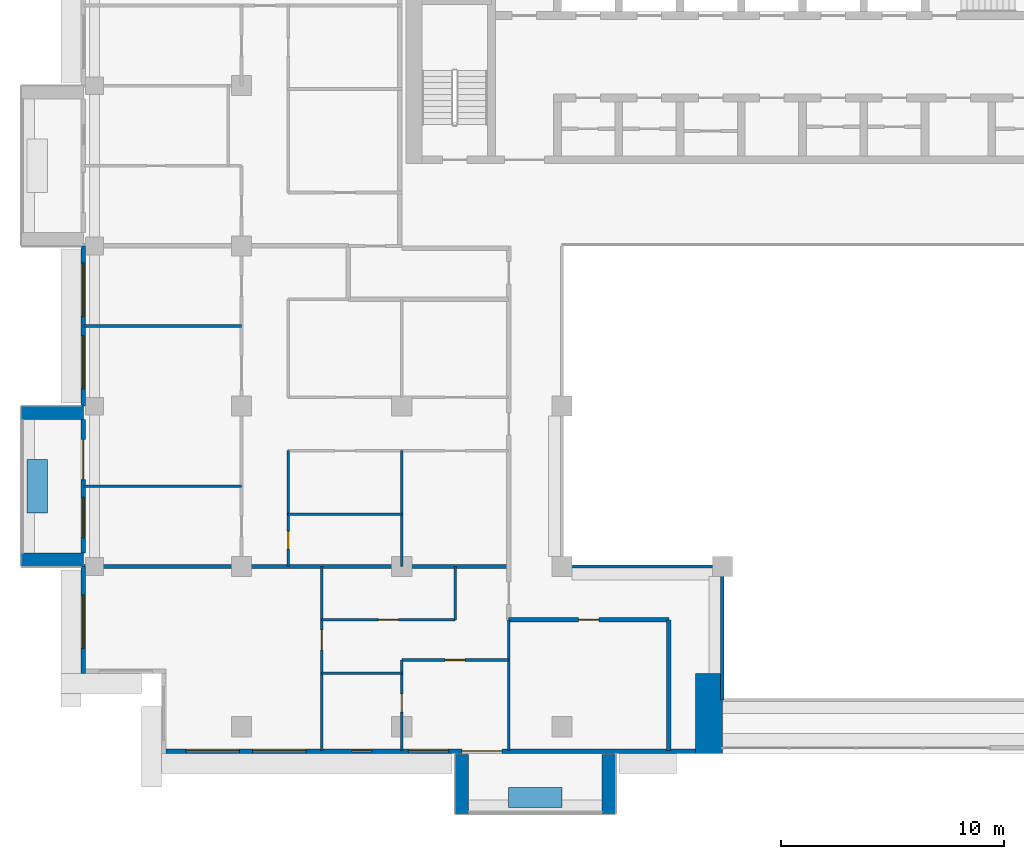
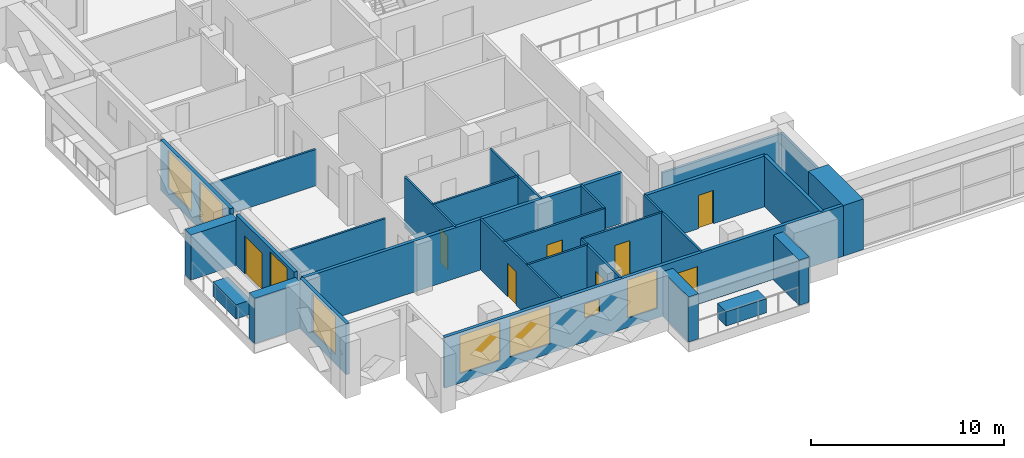
# One storey, part 6 of 20: 28 walls, 8 doors, 8 windows, 16 openings.
"""IFC4 building model written with IfcOpenShell, lengths in metres."""

from ifc_helpers import new_model, si_unit, direction, frame, frame_2d, origin, place, context, subcontext, project, spatial, rectangle, extrude, material, layer, layer_set, type_object, element, fill, save


model = new_model("IFC4")

# Units and contexts
model_context = context("Model", 3, precision=1e-05, world=origin(), true_north=direction((0.0, 1.0)))
body_context = subcontext(model_context, "Body", "Model", "MODEL_VIEW")
ifc_project = project(units=[si_unit("LENGTHUNIT", "METRE"), si_unit("AREAUNIT", "SQUARE_METRE"), si_unit("VOLUMEUNIT", "CUBIC_METRE"), si_unit("PLANEANGLEUNIT", "RADIAN"), si_unit("MASSUNIT", "GRAM", prefix="KILO")], contexts=[model_context])

# Site, building, storey
site_placement = place(None, origin())
site = spatial("IfcSite", under=ifc_project, at=site_placement, CompositionType="ELEMENT")
building_placement = place(site_placement, origin())
building = spatial("IfcBuilding", under=site, at=building_placement, Name="Saffron Iwan Residences", CompositionType="ELEMENT")
storey_placement = place(building_placement, frame((0.0, 0.0, 195.5)))
storey = spatial("IfcBuildingStorey", under=building, at=storey_placement, Name="L52", CompositionType="ELEMENT", Elevation=195.5)

# Walls
ifc_material_1 = material(Name="Fire-rated glazing", Category="glass")
ifc_layer_1 = layer(ifc_material_1, 0.14990234375)
ifc_layer_set_1 = layer_set([ifc_layer_1], Name="Fire-rated glazing")
wall_type_1 = type_object("IfcWallType", Name="Atrium glazed screen 150", PredefinedType="SOLIDWALL", material=ifc_layer_set_1)
wall_1_placement = place(storey_placement, frame((36.0, 48.0, 0.0), z_axis=(0.0, 0.0, 1.0), x_axis=(1.0, 0.0, 0.0)))
element("IfcWall", 1, at=wall_1_placement, inside=storey, type_object=wall_type_1, Name="W-L52-SCREEN-h48-36", PredefinedType="SOLIDWALL", context=body_context, shape_type="SweptSolid", body=[
    extrude(rectangle(XDim=7.199951171875, YDim=0.14990234375, at=frame_2d((3.60009765625, 0.0))), origin(), (0.0, 0.0, 1.0), 2.300048828125),
])
wall_2_placement = place(storey_placement, frame((43.199951171875, 42.0, 0.0), z_axis=(0.0, 0.0, 1.0), x_axis=(0.0, 1.0, 0.0)))
element("IfcWall", 2, at=wall_2_placement, inside=storey, type_object=wall_type_1, Name="W-L52-SCREEN-v43.2-42", PredefinedType="SOLIDWALL", context=body_context, shape_type="SweptSolid", body=[
    extrude(rectangle(XDim=6.0, YDim=0.14990234375, at=frame_2d((3.0, 0.0))), origin(), (0.0, 0.0, 1.0), 2.300048828125),
])
ifc_material_2 = material(Name="Concrete C50/60 white painted", Category="concrete")
ifc_layer_2 = layer(ifc_material_2, 0.60009765625)
ifc_layer_set_2 = layer_set([ifc_layer_2], Name="Concrete C50/60 white painted")
wall_type_2 = type_object("IfcWallType", Name="BALCONY FIN 600", PredefinedType="SOLIDWALL", material=ifc_layer_set_2)
for number, where, z_axis, x_axis, name in (
    (3, (14.5, 54.89990234375, 0.0), (0.0, 0.0, 1.0), (-1.0, 0.0, 0.0), "Balcony fin L52 F8-1a"),
    (4, (14.5, 48.300048828125, 0.0), (0.0, 0.0, 1.0), (-1.0, 0.0, 0.0), "Balcony fin L52 F8-1b"),
):
    element("IfcWall", number, at=place(storey_placement, frame(where, z_axis=z_axis, x_axis=x_axis)), inside=storey, type_object=wall_type_2, Name=name, PredefinedType="SOLIDWALL", context=body_context, shape_type="SweptSolid", body=[
        extrude(rectangle(XDim=2.800048828125, YDim=0.60009765625, at=frame_2d((1.39990234375, 0.0))), origin(), (0.0, 0.0, 1.0), 2.85009765625),
    ])
for number, where, z_axis, x_axis, name in (
    (5, (31.5, 39.550048828125, 0.0), (0.0, 0.0, 1.0), (0.0, -1.0, 0.0), "Balcony fin L52 11-0a"),
    (6, (38.10009765625, 39.550048828125, 0.0), (0.0, 0.0, 1.0), (0.0, -1.0, 0.0), "Balcony fin L52 11-0b"),
):
    element("IfcWall", number, at=place(storey_placement, frame(where, z_axis=z_axis, x_axis=x_axis)), inside=storey, type_object=wall_type_2, Name=name, PredefinedType="SOLIDWALL", context=body_context, shape_type="SweptSolid", body=[
        extrude(rectangle(XDim=2.650146484375, YDim=0.60009765625, at=frame_2d((1.3251953125, 0.0))), origin(), (0.0, 0.0, 1.0), 2.85009765625),
    ])
ifc_material_3 = material(Name="Concrete C35/45 white painted", Category="concrete")
ifc_layer_3 = layer(ifc_material_3, 0.14990234375)
ifc_layer_set_3 = layer_set([ifc_layer_3], Name="Concrete C35/45 white painted")
wall_type_3 = type_object("IfcWallType", Name="BALCONY PLANTER", PredefinedType="SOLIDWALL", material=ifc_layer_set_3)
wall_3_placement = place(storey_placement, frame((12.425048828125, 52.800048828125, 0.0), z_axis=(0.0, 0.0, 1.0), x_axis=(0.0, -1.0, 0.0)))
element("IfcWall", 7, at=wall_3_placement, inside=storey, type_object=wall_type_3, Name="PLANTER L52 F8-1", PredefinedType="SOLIDWALL", context=body_context, shape_type="SweptSolid", body=[
    extrude(rectangle(XDim=2.400146484375, YDim=0.89990234375, at=frame_2d((1.2001953125, 0.0))), origin(), (0.0, 0.0, 1.0), 0.89990234375),
])
wall_4_placement = place(storey_placement, frame((33.60009765625, 37.625, 0.0), z_axis=(0.0, 0.0, 1.0), x_axis=(1.0, 0.0, 0.0)))
element("IfcWall", 8, at=wall_4_placement, inside=storey, type_object=wall_type_3, Name="PLANTER L52 11-0", PredefinedType="SOLIDWALL", context=body_context, shape_type="SweptSolid", body=[
    extrude(rectangle(XDim=2.39990234375, YDim=0.89990234375, at=frame_2d((1.199951171875, 0.0))), origin(), (0.0, 0.0, 1.0), 0.89990234375),
])

# Wall, openings, windows
ifc_material_4 = material(Name="Concrete C40/50", Category="concrete")
ifc_layer_4 = layer(ifc_material_4, 0.199951171875)
ifc_layer_set_4 = layer_set([ifc_layer_4], Name="Concrete C40/50")
wall_type_4 = type_object("IfcWallType", Name="EXTERNAL WALL 200", PredefinedType="SOLIDWALL", material=ifc_layer_set_4)
wall_5_placement = place(storey_placement, frame((14.5, 62.39990234375, 0.0), z_axis=(0.0, 0.0, 1.0), x_axis=(0.0, -1.0, 0.0)))
wall_5 = element("IfcWall", 9, at=wall_5_placement, inside=storey, type_object=wall_type_4, Name="External wall L52 F8.2", PredefinedType="SOLIDWALL", context=body_context, shape_type="SweptSolid", body=[
    extrude(rectangle(XDim=7.199951171875, YDim=0.199951171875, at=frame_2d((3.60009765625, 0.0))), origin(), (0.0, 0.0, 1.0), 3.199951171875),
])
opening_1_placement = place(wall_5_placement, frame((4.02490234375, 0.0, 0.60009765625)))
opening_1 = element("IfcOpeningElement", 10, at=opening_1_placement, cuts=wall_5, Name="Opening W1", PredefinedType="OPENING", context=body_context, shape_type="SweptSolid", body=[
    extrude(rectangle(XDim=2.39990234375, YDim=2.39990234375, at=frame_2d((1.199951171875, 1.199951171875))), frame((0.0, 0.10986328125, 0.0), z_axis=(0.0, -1.0, 0.0), x_axis=(1.0, 0.0, 0.0)), (0.0, 0.0, 1.0), 0.219970703125),
])
opening_2_placement = place(wall_5_placement, frame((0.77490234375, 0.0, 0.60009765625)))
opening_2 = element("IfcOpeningElement", 11, at=opening_2_placement, cuts=wall_5, Name="Opening W1", PredefinedType="OPENING", context=body_context, shape_type="SweptSolid", body=[
    extrude(rectangle(XDim=2.39990234375, YDim=2.39990234375, at=frame_2d((1.199951171875, 1.199951171875))), frame((0.0, 0.10986328125, 0.0), z_axis=(0.0, -1.0, 0.0), x_axis=(1.0, 0.0, 0.0)), (0.0, 0.0, 1.0), 0.219970703125),
])
ifc_material_5 = material(Name="Clear glass, laminated double glazed", Category="glass")
window_type_1 = type_object("IfcWindowType", Name="WINDOW 2400 x 2400", PartitioningType="DOUBLE_PANEL_VERTICAL", PredefinedType="WINDOW", material=ifc_material_5)
window_1_placement = place(opening_1_placement, origin())
window_1 = element("IfcWindow", 12, at=window_1_placement, inside=storey, type_object=window_type_1, Name="Window L52 F8.0", OverallHeight=2.39990234375, OverallWidth=2.39990234375, PartitioningType="DOUBLE_PANEL_VERTICAL", PredefinedType="WINDOW", context=body_context, shape_type="SweptSolid", body=[
    extrude(rectangle(XDim=2.39990234375, YDim=2.39990234375, at=frame_2d((1.199951171875, 1.199951171875))), frame((0.0, 0.030029296875, 0.0), z_axis=(0.0, -1.0, 0.0), x_axis=(1.0, 0.0, 0.0)), (0.0, 0.0, 1.0), 0.06005859375),
])
fill(opening_1, window_1)
window_2_placement = place(opening_2_placement, origin())
window_2 = element("IfcWindow", 13, at=window_2_placement, inside=storey, type_object=window_type_1, Name="Window L52 F8.1", OverallHeight=2.39990234375, OverallWidth=2.39990234375, PartitioningType="DOUBLE_PANEL_VERTICAL", PredefinedType="WINDOW", context=body_context, shape_type="SweptSolid", body=[
    extrude(rectangle(XDim=2.39990234375, YDim=2.39990234375, at=frame_2d((1.199951171875, 1.199951171875))), frame((0.0, 0.030029296875, 0.0), z_axis=(0.0, -1.0, 0.0), x_axis=(1.0, 0.0, 0.0)), (0.0, 0.0, 1.0), 0.06005859375),
])
fill(opening_2, window_2)

# Wall, openings, door, window
wall_6_placement = place(storey_placement, frame((14.5, 54.60009765625, 0.0), z_axis=(0.0, 0.0, 1.0), x_axis=(0.0, -1.0, 0.0)))
wall_6 = element("IfcWall", 14, at=wall_6_placement, inside=storey, type_object=wall_type_4, Name="External wall L52 F8.3", PredefinedType="SOLIDWALL", context=body_context, shape_type="SweptSolid", body=[
    extrude(rectangle(XDim=6.0, YDim=0.199951171875, at=frame_2d((3.0, 0.0))), origin(), (0.0, 0.0, 1.0), 3.199951171875),
])
opening_3_placement = place(wall_6_placement, frame((0.89990234375, 0.0, 0.0)))
opening_3 = element("IfcOpeningElement", 15, at=opening_3_placement, cuts=wall_6, Name="Opening BD1", PredefinedType="OPENING", context=body_context, shape_type="SweptSolid", body=[
    extrude(rectangle(XDim=1.800048828125, YDim=2.39990234375, at=frame_2d((0.89990234375, 1.199951171875))), frame((0.0, 0.10986328125, 0.0), z_axis=(0.0, -1.0, 0.0), x_axis=(1.0, 0.0, 0.0)), (0.0, 0.0, 1.0), 0.219970703125),
])
opening_4_placement = place(wall_6_placement, frame((3.5, 0.0, 0.60009765625)))
opening_4 = element("IfcOpeningElement", 16, at=opening_4_placement, cuts=wall_6, Name="Opening W8", PredefinedType="OPENING", context=body_context, shape_type="SweptSolid", body=[
    extrude(rectangle(XDim=1.800048828125, YDim=2.39990234375, at=frame_2d((0.89990234375, 1.199951171875))), frame((0.0, 0.10986328125, 0.0), z_axis=(0.0, -1.0, 0.0), x_axis=(1.0, 0.0, 0.0)), (0.0, 0.0, 1.0), 0.219970703125),
])
door_type_1 = type_object("IfcDoorType", Name="BALCONY DOOR 1800 x 2400", OperationType="DOUBLE_DOOR_SLIDING", PredefinedType="DOOR", material=ifc_material_5)
door_1_placement = place(opening_3_placement, origin())
door_1 = element("IfcDoor", 17, at=door_1_placement, inside=storey, type_object=door_type_1, Name="Balcony door L52 F8.0", OperationType="DOUBLE_DOOR_SLIDING", OverallHeight=2.39990234375, OverallWidth=1.800048828125, PredefinedType="DOOR", context=body_context, shape_type="SweptSolid", body=[
    extrude(rectangle(XDim=1.800048828125, YDim=2.39990234375, at=frame_2d((0.89990234375, 1.199951171875))), frame((0.0, 0.02490234375, 0.0), z_axis=(0.0, -1.0, 0.0), x_axis=(1.0, 0.0, 0.0)), (0.0, 0.0, 1.0), 0.050048828125),
])
fill(opening_3, door_1)
window_type_2 = type_object("IfcWindowType", Name="WINDOW 1800 x 2400", PartitioningType="DOUBLE_PANEL_VERTICAL", PredefinedType="WINDOW", material=ifc_material_5)
window_3_placement = place(opening_4_placement, origin())
window_3 = element("IfcWindow", 18, at=window_3_placement, inside=storey, type_object=window_type_2, Name="Window L52 F8.1", OverallHeight=2.39990234375, OverallWidth=1.800048828125, PartitioningType="DOUBLE_PANEL_VERTICAL", PredefinedType="WINDOW", context=body_context, shape_type="SweptSolid", body=[
    extrude(rectangle(XDim=1.800048828125, YDim=2.39990234375, at=frame_2d((0.89990234375, 1.199951171875))), frame((0.0, 0.030029296875, 0.0), z_axis=(0.0, -1.0, 0.0), x_axis=(1.0, 0.0, 0.0)), (0.0, 0.0, 1.0), 0.06005859375),
])
fill(opening_4, window_3)

# Wall, opening, window
wall_7_placement = place(storey_placement, frame((14.5, 48.0, 0.0), z_axis=(0.0, 0.0, 1.0), x_axis=(0.0, -1.0, 0.0)))
wall_7 = element("IfcWall", 19, at=wall_7_placement, inside=storey, type_object=wall_type_4, Name="External wall L52 F8.4", PredefinedType="SOLIDWALL", context=body_context, shape_type="SweptSolid", body=[
    extrude(rectangle(XDim=4.800048828125, YDim=0.199951171875, at=frame_2d((2.39990234375, 0.0))), origin(), (0.0, 0.0, 1.0), 3.199951171875),
])
opening_5_placement = place(wall_7_placement, frame((1.27490234375, 0.0, 0.60009765625)))
opening_5 = element("IfcOpeningElement", 20, at=opening_5_placement, cuts=wall_7, Name="Opening W1", PredefinedType="OPENING", context=body_context, shape_type="SweptSolid", body=[
    extrude(rectangle(XDim=2.39990234375, YDim=2.39990234375, at=frame_2d((1.199951171875, 1.199951171875))), frame((0.0, 0.10986328125, 0.0), z_axis=(0.0, -1.0, 0.0), x_axis=(1.0, 0.0, 0.0)), (0.0, 0.0, 1.0), 0.219970703125),
])
window_4_placement = place(opening_5_placement, origin())
window_4 = element("IfcWindow", 21, at=window_4_placement, inside=storey, type_object=window_type_1, Name="Window L52 F8.0", OverallHeight=2.39990234375, OverallWidth=2.39990234375, PartitioningType="DOUBLE_PANEL_VERTICAL", PredefinedType="WINDOW", context=body_context, shape_type="SweptSolid", body=[
    extrude(rectangle(XDim=2.39990234375, YDim=2.39990234375, at=frame_2d((1.199951171875, 1.199951171875))), frame((0.0, 0.030029296875, 0.0), z_axis=(0.0, -1.0, 0.0), x_axis=(1.0, 0.0, 0.0)), (0.0, 0.0, 1.0), 0.06005859375),
])
fill(opening_5, window_4)

# Wall, openings, door, windows
wall_8_placement = place(storey_placement, frame((18.199951171875, 39.699951171875, 0.0), z_axis=(0.0, 0.0, 1.0), x_axis=(1.0, 0.0, 0.0)))
wall_8 = element("IfcWall", 22, at=wall_8_placement, inside=storey, type_object=wall_type_4, Name="External wall L52 F11.0", PredefinedType="SOLIDWALL", context=body_context, shape_type="SweptSolid", body=[
    extrude(rectangle(XDim=23.800048828125, YDim=0.199951171875, at=frame_2d((11.89990234375, 0.0))), origin(), (0.0, 0.0, 1.0), 3.199951171875),
])
opening_6_placement = place(wall_8_placement, frame((13.300048828125, 0.0, 0.0)))
opening_6 = element("IfcOpeningElement", 23, at=opening_6_placement, cuts=wall_8, Name="Opening BD1", PredefinedType="OPENING", context=body_context, shape_type="SweptSolid", body=[
    extrude(rectangle(XDim=1.800048828125, YDim=2.39990234375, at=frame_2d((0.89990234375, 1.199951171875))), frame((0.0, 0.10986328125, 0.0), z_axis=(0.0, -1.0, 0.0), x_axis=(1.0, 0.0, 0.0)), (0.0, 0.0, 1.0), 0.219970703125),
])
opening_7_placement = place(wall_8_placement, frame((0.89990234375, 0.0, 0.60009765625)))
opening_7 = element("IfcOpeningElement", 24, at=opening_7_placement, cuts=wall_8, Name="Opening W1", PredefinedType="OPENING", context=body_context, shape_type="SweptSolid", body=[
    extrude(rectangle(XDim=2.39990234375, YDim=2.39990234375, at=frame_2d((1.199951171875, 1.199951171875))), frame((0.0, 0.10986328125, 0.0), z_axis=(0.0, -1.0, 0.0), x_axis=(1.0, 0.0, 0.0)), (0.0, 0.0, 1.0), 0.219970703125),
])
opening_8_placement = place(wall_8_placement, frame((3.89990234375, 0.0, 0.60009765625)))
opening_8 = element("IfcOpeningElement", 25, at=opening_8_placement, cuts=wall_8, Name="Opening W1", PredefinedType="OPENING", context=body_context, shape_type="SweptSolid", body=[
    extrude(rectangle(XDim=2.39990234375, YDim=2.39990234375, at=frame_2d((1.199951171875, 1.199951171875))), frame((0.0, 0.10986328125, 0.0), z_axis=(0.0, -1.0, 0.0), x_axis=(1.0, 0.0, 0.0)), (0.0, 0.0, 1.0), 0.219970703125),
])
opening_9_placement = place(wall_8_placement, frame((10.89990234375, 0.0, 0.60009765625)))
opening_9 = element("IfcOpeningElement", 26, at=opening_9_placement, cuts=wall_8, Name="Opening W8", PredefinedType="OPENING", context=body_context, shape_type="SweptSolid", body=[
    extrude(rectangle(XDim=1.800048828125, YDim=2.39990234375, at=frame_2d((0.89990234375, 1.199951171875))), frame((0.0, 0.10986328125, 0.0), z_axis=(0.0, -1.0, 0.0), x_axis=(1.0, 0.0, 0.0)), (0.0, 0.0, 1.0), 0.219970703125),
])
opening_10_placement = place(wall_8_placement, frame((8.35009765625, 0.0, 1.5)))
opening_10 = element("IfcOpeningElement", 27, at=opening_10_placement, cuts=wall_8, Name="Opening W6", PredefinedType="OPENING", context=body_context, shape_type="SweptSolid", body=[
    extrude(rectangle(XDim=0.89990234375, YDim=0.89990234375, at=frame_2d((0.449951171875, 0.449951171875))), frame((0.0, 0.10986328125, 0.0), z_axis=(0.0, -1.0, 0.0), x_axis=(1.0, 0.0, 0.0)), (0.0, 0.0, 1.0), 0.219970703125),
])
door_2_placement = place(opening_6_placement, origin())
door_2 = element("IfcDoor", 28, at=door_2_placement, inside=storey, type_object=door_type_1, Name="Balcony door L52 F11.0", OperationType="DOUBLE_DOOR_SLIDING", OverallHeight=2.39990234375, OverallWidth=1.800048828125, PredefinedType="DOOR", context=body_context, shape_type="SweptSolid", body=[
    extrude(rectangle(XDim=1.800048828125, YDim=2.39990234375, at=frame_2d((0.89990234375, 1.199951171875))), frame((0.0, 0.02490234375, 0.0), z_axis=(0.0, -1.0, 0.0), x_axis=(1.0, 0.0, 0.0)), (0.0, 0.0, 1.0), 0.050048828125),
])
fill(opening_6, door_2)
window_5_placement = place(opening_9_placement, origin())
window_5 = element("IfcWindow", 29, at=window_5_placement, inside=storey, type_object=window_type_2, Name="Window L52 F11.3", OverallHeight=2.39990234375, OverallWidth=1.800048828125, PartitioningType="DOUBLE_PANEL_VERTICAL", PredefinedType="WINDOW", context=body_context, shape_type="SweptSolid", body=[
    extrude(rectangle(XDim=1.800048828125, YDim=2.39990234375, at=frame_2d((0.89990234375, 1.199951171875))), frame((0.0, 0.030029296875, 0.0), z_axis=(0.0, -1.0, 0.0), x_axis=(1.0, 0.0, 0.0)), (0.0, 0.0, 1.0), 0.06005859375),
])
fill(opening_9, window_5)
window_6_placement = place(opening_7_placement, origin())
window_6 = element("IfcWindow", 30, at=window_6_placement, inside=storey, type_object=window_type_1, Name="Window L52 F11.1", OverallHeight=2.39990234375, OverallWidth=2.39990234375, PartitioningType="DOUBLE_PANEL_VERTICAL", PredefinedType="WINDOW", context=body_context, shape_type="SweptSolid", body=[
    extrude(rectangle(XDim=2.39990234375, YDim=2.39990234375, at=frame_2d((1.199951171875, 1.199951171875))), frame((0.0, 0.030029296875, 0.0), z_axis=(0.0, -1.0, 0.0), x_axis=(1.0, 0.0, 0.0)), (0.0, 0.0, 1.0), 0.06005859375),
])
fill(opening_7, window_6)
window_7_placement = place(opening_8_placement, origin())
window_7 = element("IfcWindow", 31, at=window_7_placement, inside=storey, type_object=window_type_1, Name="Window L52 F11.2", OverallHeight=2.39990234375, OverallWidth=2.39990234375, PartitioningType="DOUBLE_PANEL_VERTICAL", PredefinedType="WINDOW", context=body_context, shape_type="SweptSolid", body=[
    extrude(rectangle(XDim=2.39990234375, YDim=2.39990234375, at=frame_2d((1.199951171875, 1.199951171875))), frame((0.0, 0.030029296875, 0.0), z_axis=(0.0, -1.0, 0.0), x_axis=(1.0, 0.0, 0.0)), (0.0, 0.0, 1.0), 0.06005859375),
])
fill(opening_8, window_7)
window_type_3 = type_object("IfcWindowType", Name="WINDOW 900 x 900 BATH", PartitioningType="SINGLE_PANEL", PredefinedType="WINDOW", material=ifc_material_5)
window_8_placement = place(opening_10_placement, origin())
window_8 = element("IfcWindow", 32, at=window_8_placement, inside=storey, type_object=window_type_3, Name="Window L52 F11.4", OverallHeight=0.89990234375, OverallWidth=0.89990234375, PartitioningType="SINGLE_PANEL", PredefinedType="WINDOW", context=body_context, shape_type="SweptSolid", body=[
    extrude(rectangle(XDim=0.89990234375, YDim=0.89990234375, at=frame_2d((0.449951171875, 0.449951171875))), frame((0.0, 0.030029296875, 0.0), z_axis=(0.0, -1.0, 0.0), x_axis=(1.0, 0.0, 0.0)), (0.0, 0.0, 1.0), 0.06005859375),
])
fill(opening_10, window_8)

# Walls
ifc_material_6 = material(Name="Fire-rated gypsum board wall")
ifc_layer_5 = layer(ifc_material_6, 0.199951171875)
ifc_layer_set_5 = layer_set([ifc_layer_5], Name="Fire-rated gypsum board wall")
wall_type_5 = type_object("IfcWallType", Name="Flat demising wall 200", PredefinedType="SOLIDWALL", material=ifc_layer_set_5)
wall_9_placement = place(storey_placement, frame((14.52490234375, 48.0, 0.0), z_axis=(0.0, 0.0, 1.0), x_axis=(1.0, 0.0, 0.0)))
element("IfcWall", 33, at=wall_9_placement, inside=storey, type_object=wall_type_5, Name="W-L52-DEMISE-h48-14.525", PredefinedType="SOLIDWALL", context=body_context, shape_type="SweptSolid", body=[
    extrude(rectangle(XDim=19.0751953125, YDim=0.199951171875, at=frame_2d((9.53759765625, 0.0))), origin(), (0.0, 0.0, 1.0), 3.199951171875),
])
ifc_material_7 = material(Name="Gypsum board partition")
ifc_layer_6 = layer(ifc_material_7, 0.1201171875)
ifc_layer_set_6 = layer_set([ifc_layer_6], Name="Gypsum board partition")
wall_type_6 = type_object("IfcWallType", Name="Flat partition 120", PredefinedType="PARTITIONING", material=ifc_layer_set_6)
wall_10_placement = place(storey_placement, frame((25.199951171875, 43.199951171875, 0.0), z_axis=(0.0, 0.0, 1.0), x_axis=(1.0, 0.0, 0.0)))
element("IfcWall", 34, at=wall_10_placement, inside=storey, type_object=wall_type_6, Name="W-L52-PART-h43.2-25.2", PredefinedType="PARTITIONING", context=body_context, shape_type="SweptSolid", body=[
    extrude(rectangle(XDim=3.60009765625, YDim=0.1201171875, at=frame_2d((1.800048828125, 0.0))), origin(), (0.0, 0.0, 1.0), 3.199951171875),
])

# Wall, opening, door
wall_11_placement = place(storey_placement, frame((28.800048828125, 43.800048828125, 0.0), z_axis=(0.0, 0.0, 1.0), x_axis=(1.0, 0.0, 0.0)))
wall_11 = element("IfcWall", 35, at=wall_11_placement, inside=storey, type_object=wall_type_6, Name="W-L52-PART-h43.8-28.8", PredefinedType="PARTITIONING", context=body_context, shape_type="SweptSolid", body=[
    extrude(rectangle(XDim=4.800048828125, YDim=0.1201171875, at=frame_2d((2.39990234375, 0.0))), origin(), (0.0, 0.0, 1.0), 3.199951171875),
])
opening_11_placement = place(wall_11_placement, frame((1.949951171875, 0.0, 0.0)))
opening_11 = element("IfcOpeningElement", 36, at=opening_11_placement, cuts=wall_11, Name="Opening FD2", PredefinedType="OPENING", context=body_context, shape_type="SweptSolid", body=[
    extrude(rectangle(XDim=0.89990234375, YDim=2.10009765625, at=frame_2d((0.449951171875, 1.050048828125))), frame((0.0, 0.070068359375, 0.0), z_axis=(0.0, -1.0, 0.0), x_axis=(1.0, 0.0, 0.0)), (0.0, 0.0, 1.0), 0.14013671875),
])
ifc_material_8 = material(Name="Timber door", Category="wood")
door_type_2 = type_object("IfcDoorType", Name="Flat door 900", OperationType="NOTDEFINED", PredefinedType="DOOR", material=ifc_material_8)
door_3_placement = place(opening_11_placement, origin())
door_3 = element("IfcDoor", 37, at=door_3_placement, inside=storey, type_object=door_type_2, Name="Door L52-003", OperationType="SINGLE_SWING_RIGHT", OverallHeight=2.10009765625, OverallWidth=0.89990234375, PredefinedType="DOOR", context=body_context, shape_type="SweptSolid", body=[
    extrude(rectangle(XDim=0.89990234375, YDim=2.10009765625, at=frame_2d((0.449951171875, 1.050048828125))), frame((0.0, 0.02490234375, 0.0), z_axis=(0.0, -1.0, 0.0), x_axis=(1.0, 0.0, 0.0)), (0.0, 0.0, 1.0), 0.050048828125),
])
fill(opening_11, door_3)

wall_12_placement = place(storey_placement, frame((25.199951171875, 45.60009765625, 0.0), z_axis=(0.0, 0.0, 1.0), x_axis=(1.0, 0.0, 0.0)))
wall_12 = element("IfcWall", 38, at=wall_12_placement, inside=storey, type_object=wall_type_6, Name="W-L52-PART-h45.6-25.2", PredefinedType="PARTITIONING", context=body_context, shape_type="SweptSolid", body=[
    extrude(rectangle(XDim=6.0, YDim=0.1201171875, at=frame_2d((3.0, 0.0))), origin(), (0.0, 0.0, 1.0), 3.199951171875),
])
opening_12_placement = place(wall_12_placement, frame((2.550048828125, 0.0, 0.0)))
opening_12 = element("IfcOpeningElement", 39, at=opening_12_placement, cuts=wall_12, Name="Opening FD2", PredefinedType="OPENING", context=body_context, shape_type="SweptSolid", body=[
    extrude(rectangle(XDim=0.89990234375, YDim=2.10009765625, at=frame_2d((0.449951171875, 1.050048828125))), frame((0.0, 0.070068359375, 0.0), z_axis=(0.0, -1.0, 0.0), x_axis=(1.0, 0.0, 0.0)), (0.0, 0.0, 1.0), 0.14013671875),
])
door_4_placement = place(opening_12_placement, origin())
door_4 = element("IfcDoor", 40, at=door_4_placement, inside=storey, type_object=door_type_2, Name="Door L52-005", OperationType="SINGLE_SWING_LEFT", OverallHeight=2.10009765625, OverallWidth=0.89990234375, PredefinedType="DOOR", context=body_context, shape_type="SweptSolid", body=[
    extrude(rectangle(XDim=0.89990234375, YDim=2.10009765625, at=frame_2d((0.449951171875, 1.050048828125))), frame((0.0, 0.02490234375, 0.0), z_axis=(0.0, -1.0, 0.0), x_axis=(1.0, 0.0, 0.0)), (0.0, 0.0, 1.0), 0.050048828125),
])
fill(opening_12, door_4)

# Walls
wall_13_placement = place(storey_placement, frame((23.699951171875, 50.35009765625, 0.0), z_axis=(0.0, 0.0, 1.0), x_axis=(1.0, 0.0, 0.0)))
element("IfcWall", 41, at=wall_13_placement, inside=storey, type_object=wall_type_6, Name="W-L52-PART-h50.35-23.7", PredefinedType="PARTITIONING", context=body_context, shape_type="SweptSolid", body=[
    extrude(rectangle(XDim=5.10009765625, YDim=0.1201171875, at=frame_2d((2.550048828125, 0.0))), origin(), (0.0, 0.0, 1.0), 3.199951171875),
])
for number, where, z_axis, x_axis, name in (
    (42, (14.52490234375, 51.60009765625, 0.0), (0.0, 0.0, 1.0), (1.0, 0.0, 0.0), "W-L52-PART-h51.6-14.525"),
    (43, (14.52490234375, 58.800048828125, 0.0), (0.0, 0.0, 1.0), (1.0, 0.0, 0.0), "W-L52-PART-h58.8-14.525"),
):
    element("IfcWall", number, at=place(storey_placement, frame(where, z_axis=z_axis, x_axis=x_axis)), inside=storey, type_object=wall_type_6, Name=name, PredefinedType="PARTITIONING", context=body_context, shape_type="SweptSolid", body=[
        extrude(rectangle(XDim=7.0751953125, YDim=0.1201171875, at=frame_2d((3.53759765625, 0.0))), origin(), (0.0, 0.0, 1.0), 2.300048828125),
    ])

# Wall, opening, door
wall_14_placement = place(storey_placement, frame((23.699951171875, 48.0, 0.0), z_axis=(0.0, 0.0, 1.0), x_axis=(0.0, 1.0, 0.0)))
wall_14 = element("IfcWall", 44, at=wall_14_placement, inside=storey, type_object=wall_type_6, Name="W-L52-PART-v23.7-48", PredefinedType="PARTITIONING", context=body_context, shape_type="SweptSolid", body=[
    extrude(rectangle(XDim=5.199951171875, YDim=0.1201171875, at=frame_2d((2.60009765625, 0.0))), origin(), (0.0, 0.0, 1.0), 3.199951171875),
])
opening_13_placement = place(wall_14_placement, frame((0.77490234375, 0.0, 0.0)))
opening_13 = element("IfcOpeningElement", 45, at=opening_13_placement, cuts=wall_14, Name="Opening FD3", PredefinedType="OPENING", context=body_context, shape_type="SweptSolid", body=[
    extrude(rectangle(XDim=0.800048828125, YDim=2.10009765625, at=frame_2d((0.39990234375, 1.050048828125))), frame((0.0, 0.070068359375, 0.0), z_axis=(0.0, -1.0, 0.0), x_axis=(1.0, 0.0, 0.0)), (0.0, 0.0, 1.0), 0.14013671875),
])
door_type_3 = type_object("IfcDoorType", Name="Bathroom door 800", OperationType="NOTDEFINED", PredefinedType="DOOR", material=ifc_material_8)
door_5_placement = place(opening_13_placement, origin())
door_5 = element("IfcDoor", 46, at=door_5_placement, inside=storey, type_object=door_type_3, Name="Door L52-011", OperationType="SINGLE_SWING_LEFT", OverallHeight=2.10009765625, OverallWidth=0.800048828125, PredefinedType="DOOR", context=body_context, shape_type="SweptSolid", body=[
    extrude(rectangle(XDim=0.800048828125, YDim=2.10009765625, at=frame_2d((0.39990234375, 1.050048828125))), frame((0.0, 0.02490234375, 0.0), z_axis=(0.0, -1.0, 0.0), x_axis=(1.0, 0.0, 0.0)), (0.0, 0.0, 1.0), 0.050048828125),
])
fill(opening_13, door_5)

wall_15_placement = place(storey_placement, frame((25.199951171875, 39.72509765625, 0.0), z_axis=(0.0, 0.0, 1.0), x_axis=(0.0, 1.0, 0.0)))
wall_15 = element("IfcWall", 47, at=wall_15_placement, inside=storey, type_object=wall_type_6, Name="W-L52-PART-v25.2-39.725", PredefinedType="PARTITIONING", context=body_context, shape_type="SweptSolid", body=[
    extrude(rectangle(XDim=8.27490234375, YDim=0.1201171875, at=frame_2d((4.137451171875, 0.0))), origin(), (0.0, 0.0, 1.0), 3.199951171875),
])
opening_14_placement = place(wall_15_placement, frame((4.52490234375, 0.0, 0.0)))
opening_14 = element("IfcOpeningElement", 48, at=opening_14_placement, cuts=wall_15, Name="Opening FD2", PredefinedType="OPENING", context=body_context, shape_type="SweptSolid", body=[
    extrude(rectangle(XDim=0.89990234375, YDim=2.10009765625, at=frame_2d((0.449951171875, 1.050048828125))), frame((0.0, 0.070068359375, 0.0), z_axis=(0.0, -1.0, 0.0), x_axis=(1.0, 0.0, 0.0)), (0.0, 0.0, 1.0), 0.14013671875),
])
door_6_placement = place(opening_14_placement, origin())
door_6 = element("IfcDoor", 49, at=door_6_placement, inside=storey, type_object=door_type_2, Name="Door L52-002", OperationType="SINGLE_SWING_LEFT", OverallHeight=2.10009765625, OverallWidth=0.89990234375, PredefinedType="DOOR", context=body_context, shape_type="SweptSolid", body=[
    extrude(rectangle(XDim=0.89990234375, YDim=2.10009765625, at=frame_2d((0.449951171875, 1.050048828125))), frame((0.0, 0.02490234375, 0.0), z_axis=(0.0, -1.0, 0.0), x_axis=(1.0, 0.0, 0.0)), (0.0, 0.0, 1.0), 0.050048828125),
])
fill(opening_14, door_6)

wall_16_placement = place(storey_placement, frame((28.800048828125, 39.72509765625, 0.0), z_axis=(0.0, 0.0, 1.0), x_axis=(0.0, 1.0, 0.0)))
wall_16 = element("IfcWall", 50, at=wall_16_placement, inside=storey, type_object=wall_type_6, Name="W-L52-PART-v28.8-39.725", PredefinedType="PARTITIONING", context=body_context, shape_type="SweptSolid", body=[
    extrude(rectangle(XDim=4.074951171875, YDim=0.1201171875, at=frame_2d((2.03759765625, 0.0))), origin(), (0.0, 0.0, 1.0), 3.199951171875),
])
opening_15_placement = place(wall_16_placement, frame((1.737548828125, 0.0, 0.0)))
opening_15 = element("IfcOpeningElement", 51, at=opening_15_placement, cuts=wall_16, Name="Opening FD3", PredefinedType="OPENING", context=body_context, shape_type="SweptSolid", body=[
    extrude(rectangle(XDim=0.800048828125, YDim=2.10009765625, at=frame_2d((0.39990234375, 1.050048828125))), frame((0.0, 0.070068359375, 0.0), z_axis=(0.0, -1.0, 0.0), x_axis=(1.0, 0.0, 0.0)), (0.0, 0.0, 1.0), 0.14013671875),
])
door_7_placement = place(opening_15_placement, origin())
door_7 = element("IfcDoor", 52, at=door_7_placement, inside=storey, type_object=door_type_3, Name="Door L52-004", OperationType="SINGLE_SWING_RIGHT", OverallHeight=2.10009765625, OverallWidth=0.800048828125, PredefinedType="DOOR", context=body_context, shape_type="SweptSolid", body=[
    extrude(rectangle(XDim=0.800048828125, YDim=2.10009765625, at=frame_2d((0.39990234375, 1.050048828125))), frame((0.0, 0.02490234375, 0.0), z_axis=(0.0, -1.0, 0.0), x_axis=(1.0, 0.0, 0.0)), (0.0, 0.0, 1.0), 0.050048828125),
])
fill(opening_15, door_7)

# Walls
wall_17_placement = place(storey_placement, frame((28.800048828125, 48.0, 0.0), z_axis=(0.0, 0.0, 1.0), x_axis=(0.0, 1.0, 0.0)))
element("IfcWall", 53, at=wall_17_placement, inside=storey, type_object=wall_type_6, Name="W-L52-PART-v28.8-48", PredefinedType="PARTITIONING", context=body_context, shape_type="SweptSolid", body=[
    extrude(rectangle(XDim=5.199951171875, YDim=0.1201171875, at=frame_2d((2.60009765625, 0.0))), origin(), (0.0, 0.0, 1.0), 3.199951171875),
])
wall_18_placement = place(storey_placement, frame((31.199951171875, 45.60009765625, 0.0), z_axis=(0.0, 0.0, 1.0), x_axis=(0.0, 1.0, 0.0)))
element("IfcWall", 54, at=wall_18_placement, inside=storey, type_object=wall_type_6, Name="W-L52-PART-v31.2-45.6", PredefinedType="PARTITIONING", context=body_context, shape_type="SweptSolid", body=[
    extrude(rectangle(XDim=2.39990234375, YDim=0.1201171875, at=frame_2d((1.199951171875, 0.0))), origin(), (0.0, 0.0, 1.0), 3.199951171875),
])
wall_19_placement = place(storey_placement, frame((33.60009765625, 39.72509765625, 0.0), z_axis=(0.0, 0.0, 1.0), x_axis=(0.0, 1.0, 0.0)))
element("IfcWall", 55, at=wall_19_placement, inside=storey, type_object=wall_type_6, Name="W-L52-PART-v33.6-39.725", PredefinedType="PARTITIONING", context=body_context, shape_type="SweptSolid", body=[
    extrude(rectangle(XDim=5.875, YDim=0.1201171875, at=frame_2d((2.9375, 0.0))), origin(), (0.0, 0.0, 1.0), 3.199951171875),
])

# Wall, opening, door
ifc_layer_7 = layer(ifc_material_6, 0.199951171875)
ifc_layer_set_7 = layer_set([ifc_layer_7], Name="Fire-rated gypsum board wall")
wall_type_7 = type_object("IfcWallType", Name="Gallery wall 200", PredefinedType="SOLIDWALL", material=ifc_layer_set_7)
wall_20_placement = place(storey_placement, frame((33.60009765625, 45.60009765625, 0.0), z_axis=(0.0, 0.0, 1.0), x_axis=(1.0, 0.0, 0.0)))
wall_20 = element("IfcWall", 56, at=wall_20_placement, inside=storey, type_object=wall_type_7, Name="W-L52-CORR-h45.6-33.6", PredefinedType="SOLIDWALL", context=body_context, shape_type="SweptSolid", body=[
    extrude(rectangle(XDim=7.199951171875, YDim=0.199951171875, at=frame_2d((3.60009765625, 0.0))), origin(), (0.0, 0.0, 1.0), 3.199951171875),
])
opening_16_placement = place(wall_20_placement, frame((3.14990234375, 0.0, 0.0)))
opening_16 = element("IfcOpeningElement", 57, at=opening_16_placement, cuts=wall_20, Name="Opening FD2", PredefinedType="OPENING", context=body_context, shape_type="SweptSolid", body=[
    extrude(rectangle(XDim=0.89990234375, YDim=2.10009765625, at=frame_2d((0.449951171875, 1.050048828125))), frame((0.0, 0.10986328125, 0.0), z_axis=(0.0, -1.0, 0.0), x_axis=(1.0, 0.0, 0.0)), (0.0, 0.0, 1.0), 0.219970703125),
])
door_8_placement = place(opening_16_placement, origin())
door_8 = element("IfcDoor", 58, at=door_8_placement, inside=storey, type_object=door_type_2, Name="Door L52-006", OperationType="SINGLE_SWING_RIGHT", OverallHeight=2.10009765625, OverallWidth=0.89990234375, PredefinedType="DOOR", context=body_context, shape_type="SweptSolid", body=[
    extrude(rectangle(XDim=0.89990234375, YDim=2.10009765625, at=frame_2d((0.449951171875, 1.050048828125))), frame((0.0, 0.02490234375, 0.0), z_axis=(0.0, -1.0, 0.0), x_axis=(1.0, 0.0, 0.0)), (0.0, 0.0, 1.0), 0.050048828125),
])
fill(opening_16, door_8)

# Walls
wall_21_placement = place(storey_placement, frame((40.800048828125, 39.72509765625, 0.0), z_axis=(0.0, 0.0, 1.0), x_axis=(0.0, 1.0, 0.0)))
element("IfcWall", 59, at=wall_21_placement, inside=storey, type_object=wall_type_7, Name="W-L52-CORR-v40.8-39.725", PredefinedType="SOLIDWALL", context=body_context, shape_type="SweptSolid", body=[
    extrude(rectangle(XDim=5.875, YDim=0.199951171875, at=frame_2d((2.9375, 0.0))), origin(), (0.0, 0.0, 1.0), 3.199951171875),
])
ifc_material_9 = material(Name="Concrete C50/60", Category="concrete")
ifc_layer_8 = layer(ifc_material_9, 1.199951171875)
ifc_layer_set_8 = layer_set([ifc_layer_8], Name="Concrete C50/60")
wall_type_8 = type_object("IfcWallType", Name="WALL IWAN PIER 1200 C50/60 3200 HIGH", PredefinedType="SHEAR", material=ifc_layer_set_8)
wall_22_placement = place(storey_placement, frame((42.60009765625, 39.60009765625, 0.0), z_axis=(0.0, 0.0, 1.0), x_axis=(0.0, 1.0, 0.0)))
element("IfcWall", 60, at=wall_22_placement, inside=storey, type_object=wall_type_8, Name="IWAN PIER", PredefinedType="SHEAR", context=body_context, shape_type="SweptSolid", body=[
    extrude(rectangle(XDim=3.599853515625, YDim=1.199951171875, at=frame_2d((1.7998046875, 0.0))), origin(), (0.0, 0.0, 1.0), 3.199951171875),
])

save(model, "model.ifc")
